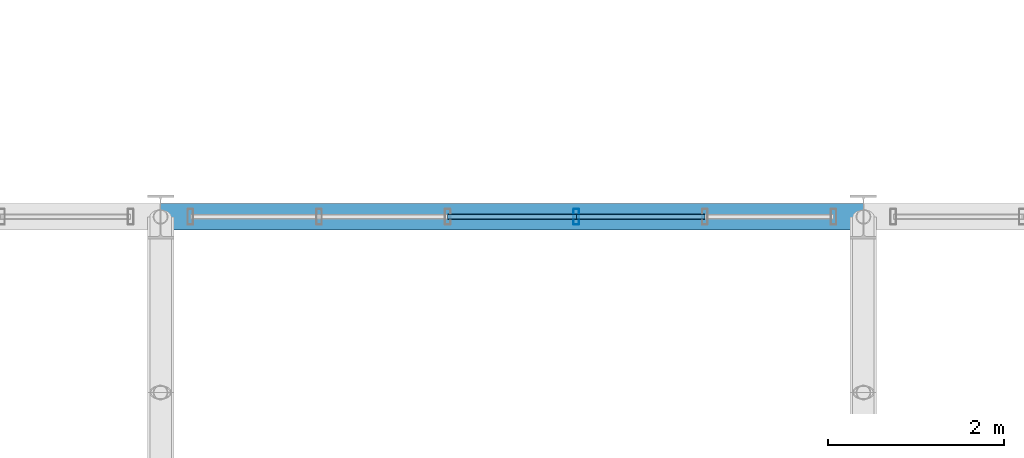
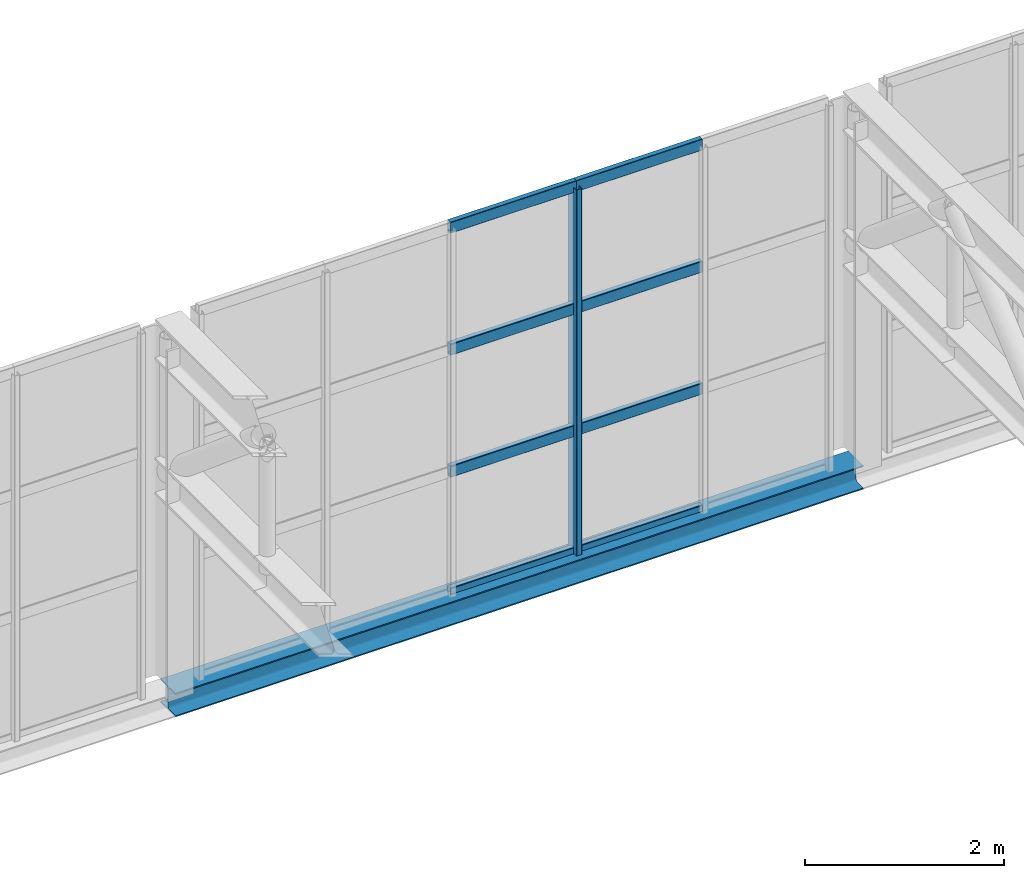
# One storey, part 91 of 143: 9 members, 1 beam, 1 element without a shape of its own.
"""IFC4 building model written with IfcOpenShell, lengths in metres."""

from ifc_helpers import new_model, si_unit, derived_unit, direction, frame, origin, origin_2d, place, context, subcontext, project, spatial, hollow_rectangle, i_section, extrude, material, material_profile, profile_set, type_object, element, aggregate, save


model = new_model("IFC4")

# Units and contexts
model_context = context("Model", 3, precision=1e-05, world=origin(), true_north=direction((0.0, 1.0)))
body_context = subcontext(model_context, "Body", "Model", "MODEL_VIEW")
ifc_project = project(units=[si_unit("LENGTHUNIT", "METRE"), si_unit("AREAUNIT", "SQUARE_METRE"), si_unit("VOLUMEUNIT", "CUBIC_METRE"), si_unit("PLANEANGLEUNIT", "RADIAN"), si_unit("MASSUNIT", "GRAM", prefix="KILO"), derived_unit("THERMALTRANSMITTANCEUNIT", [(si_unit("POWERUNIT", "WATT"), 1), (si_unit("LENGTHUNIT", "METRE"), -2), (si_unit("THERMODYNAMICTEMPERATUREUNIT", "KELVIN"), -1)])], contexts=[model_context])

# Site, building, storey
site_placement = place(None, origin())
site = spatial("IfcSite", under=ifc_project, at=site_placement, CompositionType="ELEMENT")
building_placement = place(site_placement, origin())
building = spatial("IfcBuilding", under=site, at=building_placement, Name="Keldorne Ridge Multi-Sports Centre", CompositionType="ELEMENT")
storey_placement = place(building_placement, frame((0.0, 0.0, 4.800048828125)))
storey = spatial("IfcBuildingStorey", under=building, at=storey_placement, Name="L01", CompositionType="ELEMENT", Elevation=4.800048828125)

# Beam
ifc_material_1 = material(Name="Steel S355", Category="steel")
ifc_material_profile_1 = material_profile(ifc_material_1, i_section(OverallWidth=0.300048828125, OverallDepth=0.2900390625, WebThickness=0.008544921875, FlangeThickness=0.013916015625, FilletRadius=0.027099609375, at=origin_2d()), Name="HEA 300")
ifc_profile_set_1 = profile_set([ifc_material_profile_1], Name="Steel S355")
beam_type = type_object("IfcBeamType", Name="BM-SP-04", PredefinedType="SPANDREL", material=ifc_profile_set_1)
beam_placement = place(storey_placement, frame((144.0, 54.0, -0.150146484375), z_axis=(1.0, 0.0, 0.0), x_axis=(0.0, 1.0, 0.0)))
element("IfcBeam", 1, at=beam_placement, inside=storey, type_object=beam_type, Name="Stacked Courts spandrel L01.54.6", PredefinedType="SPANDREL", context=body_context, shape_type="SweptSolid", body=[
    extrude(i_section(OverallWidth=0.300048828125, OverallDepth=0.2900390625, WebThickness=0.008544921875, FlangeThickness=0.013916015625, FilletRadius=0.027099609375, at=origin_2d()), origin(), (0.0, 0.0, 1.0), 8.0),
])

# Curtain wall, members
ifc_material_2 = material(Name="Anodized aluminium", Category="aluminium")
curtain_wall_type = type_object("IfcCurtainWallType", Name="CW-CW-02", PredefinedType="NOTDEFINED", material=ifc_material_2)
curtain_wall_placement = place(storey_placement, origin())
curtain_wall = element("IfcCurtainWall", 2, at=curtain_wall_placement, inside=storey, type_object=curtain_wall_type, Name="Lower Courts north clerestory 122", PredefinedType="NOTDEFINED")
ifc_material_profile_2 = material_profile(ifc_material_2, hollow_rectangle(XDim=0.06494140625, YDim=0.179931640625, WallThickness=0.00439453125, InnerFilletRadius=0.00439453125, OuterFilletRadius=0.009033203125, at=origin_2d()), Name="ALU MULLION 180x65x4.5")
ifc_profile_set_2 = profile_set([ifc_material_profile_2], Name="Anodized aluminium")
member_type_1 = type_object("IfcMemberType", Name="MEM-ML-01", PredefinedType="MULLION", material=ifc_profile_set_2)
member_1_placement = place(storey_placement, frame((148.73193359375, 54.0, 0.0), z_axis=(0.0, 0.0, 1.0), x_axis=(1.0, 0.0, 0.0)))
member_1 = element("IfcMember", 3, at=member_1_placement, type_object=member_type_1, Name="CW-122 vertical mullion 3", PredefinedType="MULLION", context=body_context, shape_type="SweptSolid", body=[
    extrude(hollow_rectangle(XDim=0.06494140625, YDim=0.179931640625, WallThickness=0.00439453125, InnerFilletRadius=0.00439453125, OuterFilletRadius=0.009033203125, at=origin_2d()), origin(), (0.0, 0.0, 1.0), 4.5),
])
ifc_material_profile_3 = material_profile(ifc_material_2, hollow_rectangle(XDim=0.06494140625, YDim=0.139892578125, WallThickness=0.00439453125, InnerFilletRadius=0.00439453125, OuterFilletRadius=0.009033203125, at=origin_2d()), Name="ALU TRANSOM 140x65x4.5")
ifc_profile_set_3 = profile_set([ifc_material_profile_3], Name="Anodized aluminium")
member_type_2 = type_object("IfcMemberType", Name="MEM-TR-01", PredefinedType="USERDEFINED", material=ifc_profile_set_3)
member_2_placement = place(storey_placement, frame((150.196044921875, 54.0, 0.0), z_axis=(-1.0, 0.0, 0.0), x_axis=(0.0, -1.0, 0.0)))
member_2 = element("IfcMember", 4, at=member_2_placement, type_object=member_type_2, Name="CW-122 transom 2.1", ObjectType="TRANSOM", PredefinedType="USERDEFINED", context=body_context, shape_type="SweptSolid", body=[
    extrude(hollow_rectangle(XDim=0.06494140625, YDim=0.139892578125, WallThickness=0.00439453125, InnerFilletRadius=0.00439453125, OuterFilletRadius=0.009033203125, at=origin_2d()), origin(), (0.0, 0.0, 1.0), 1.464111328125),
])
member_3_placement = place(storey_placement, frame((150.196044921875, 54.0, 1.5), z_axis=(-1.0, 0.0, 0.0), x_axis=(0.0, -1.0, 0.0)))
member_3 = element("IfcMember", 5, at=member_3_placement, type_object=member_type_2, Name="CW-122 transom 2.2", ObjectType="TRANSOM", PredefinedType="USERDEFINED", context=body_context, shape_type="SweptSolid", body=[
    extrude(hollow_rectangle(XDim=0.06494140625, YDim=0.139892578125, WallThickness=0.00439453125, InnerFilletRadius=0.00439453125, OuterFilletRadius=0.009033203125, at=origin_2d()), origin(), (0.0, 0.0, 1.0), 1.464111328125),
])
member_4_placement = place(storey_placement, frame((150.196044921875, 54.0, 3.0), z_axis=(-1.0, 0.0, 0.0), x_axis=(0.0, -1.0, 0.0)))
member_4 = element("IfcMember", 6, at=member_4_placement, type_object=member_type_2, Name="CW-122 transom 2.3", ObjectType="TRANSOM", PredefinedType="USERDEFINED", context=body_context, shape_type="SweptSolid", body=[
    extrude(hollow_rectangle(XDim=0.06494140625, YDim=0.139892578125, WallThickness=0.00439453125, InnerFilletRadius=0.00439453125, OuterFilletRadius=0.009033203125, at=origin_2d()), origin(), (0.0, 0.0, 1.0), 1.464111328125),
])
member_5_placement = place(storey_placement, frame((150.196044921875, 54.0, 4.5), z_axis=(-1.0, 0.0, 0.0), x_axis=(0.0, -1.0, 0.0)))
member_5 = element("IfcMember", 7, at=member_5_placement, type_object=member_type_2, Name="CW-122 transom 2.4", ObjectType="TRANSOM", PredefinedType="USERDEFINED", context=body_context, shape_type="SweptSolid", body=[
    extrude(hollow_rectangle(XDim=0.06494140625, YDim=0.139892578125, WallThickness=0.00439453125, InnerFilletRadius=0.00439453125, OuterFilletRadius=0.009033203125, at=origin_2d()), origin(), (0.0, 0.0, 1.0), 1.464111328125),
])
member_6_placement = place(storey_placement, frame((148.73193359375, 54.0, 0.0), z_axis=(-1.0, 0.0, 0.0), x_axis=(0.0, -1.0, 0.0)))
member_6 = element("IfcMember", 8, at=member_6_placement, type_object=member_type_2, Name="CW-122 transom 3.1", ObjectType="TRANSOM", PredefinedType="USERDEFINED", context=body_context, shape_type="SweptSolid", body=[
    extrude(hollow_rectangle(XDim=0.06494140625, YDim=0.139892578125, WallThickness=0.00439453125, InnerFilletRadius=0.00439453125, OuterFilletRadius=0.009033203125, at=origin_2d()), origin(), (0.0, 0.0, 1.0), 1.4638671875),
])
member_7_placement = place(storey_placement, frame((148.73193359375, 54.0, 1.5), z_axis=(-1.0, 0.0, 0.0), x_axis=(0.0, -1.0, 0.0)))
member_7 = element("IfcMember", 9, at=member_7_placement, type_object=member_type_2, Name="CW-122 transom 3.2", ObjectType="TRANSOM", PredefinedType="USERDEFINED", context=body_context, shape_type="SweptSolid", body=[
    extrude(hollow_rectangle(XDim=0.06494140625, YDim=0.139892578125, WallThickness=0.00439453125, InnerFilletRadius=0.00439453125, OuterFilletRadius=0.009033203125, at=origin_2d()), origin(), (0.0, 0.0, 1.0), 1.4638671875),
])
member_8_placement = place(storey_placement, frame((148.73193359375, 54.0, 3.0), z_axis=(-1.0, 0.0, 0.0), x_axis=(0.0, -1.0, 0.0)))
member_8 = element("IfcMember", 10, at=member_8_placement, type_object=member_type_2, Name="CW-122 transom 3.3", ObjectType="TRANSOM", PredefinedType="USERDEFINED", context=body_context, shape_type="SweptSolid", body=[
    extrude(hollow_rectangle(XDim=0.06494140625, YDim=0.139892578125, WallThickness=0.00439453125, InnerFilletRadius=0.00439453125, OuterFilletRadius=0.009033203125, at=origin_2d()), origin(), (0.0, 0.0, 1.0), 1.4638671875),
])
member_9_placement = place(storey_placement, frame((148.73193359375, 54.0, 4.5), z_axis=(-1.0, 0.0, 0.0), x_axis=(0.0, -1.0, 0.0)))
member_9 = element("IfcMember", 11, at=member_9_placement, type_object=member_type_2, Name="CW-122 transom 3.4", ObjectType="TRANSOM", PredefinedType="USERDEFINED", context=body_context, shape_type="SweptSolid", body=[
    extrude(hollow_rectangle(XDim=0.06494140625, YDim=0.139892578125, WallThickness=0.00439453125, InnerFilletRadius=0.00439453125, OuterFilletRadius=0.009033203125, at=origin_2d()), origin(), (0.0, 0.0, 1.0), 1.4638671875),
])
aggregate(curtain_wall, [member_1, member_2, member_3, member_4, member_5, member_6, member_7, member_8, member_9])

save(model, "model.ifc")
